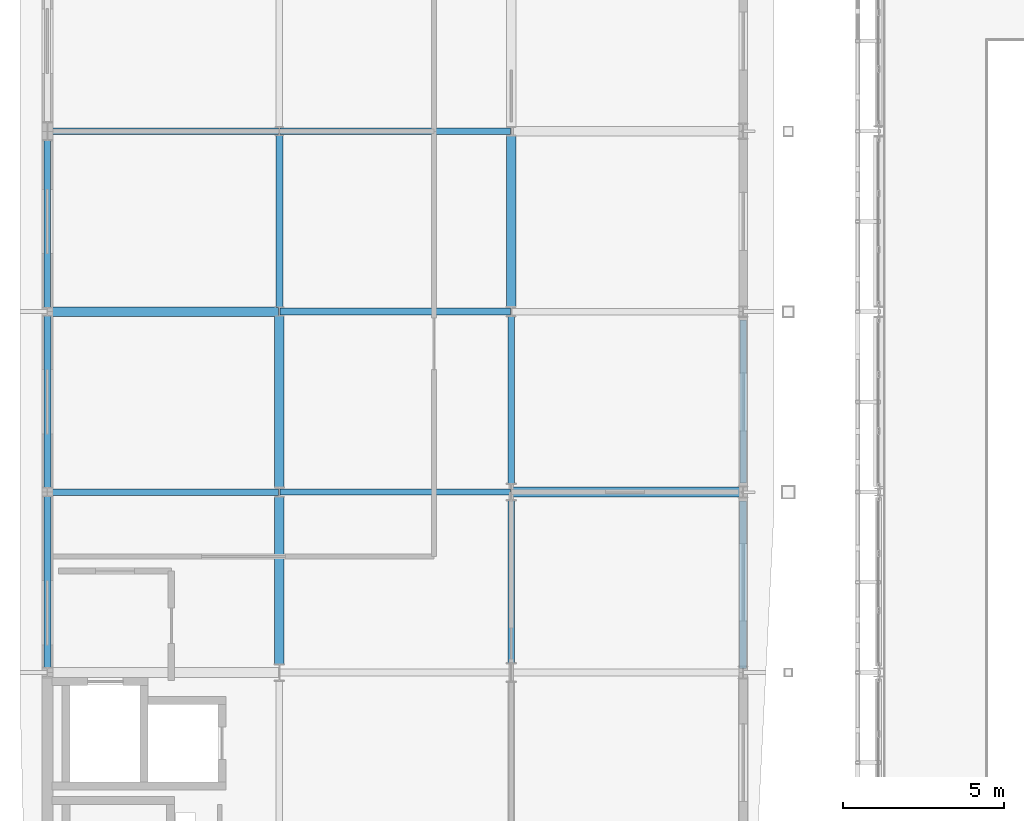
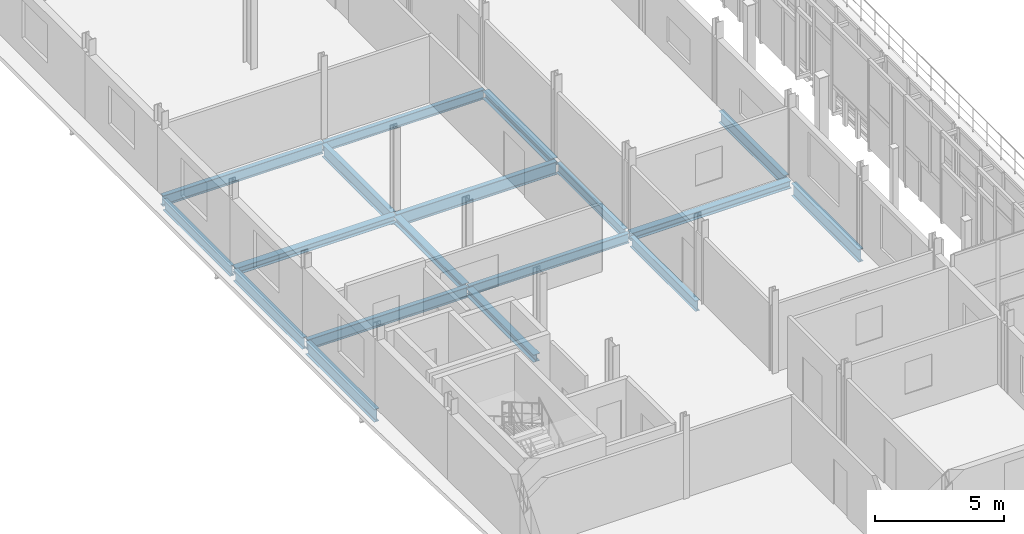
# One storey, part 27 of 78: 18 beams.
"""IFC4 building model written with IfcOpenShell, lengths in metres."""

from ifc_helpers import new_model, si_unit, direction, frame, origin, origin_2d, place, context, subcontext, project, spatial, i_section, extrude, material, material_profile, profile_set, type_object, element, save


model = new_model("IFC4")

# Units and contexts
model_context = context("Model", 3, precision=1e-05, world=origin(), true_north=direction((0.0, 1.0)))
body_context = subcontext(model_context, "Body", "Model", "MODEL_VIEW")
ifc_project = project(units=[si_unit("LENGTHUNIT", "METRE"), si_unit("AREAUNIT", "SQUARE_METRE"), si_unit("VOLUMEUNIT", "CUBIC_METRE"), si_unit("PLANEANGLEUNIT", "RADIAN"), si_unit("MASSUNIT", "GRAM", prefix="KILO")], contexts=[model_context])

# Site, building, storey
site_placement = place(None, origin())
site = spatial("IfcSite", under=ifc_project, at=site_placement, CompositionType="ELEMENT")
building_placement = place(site_placement, origin())
building = spatial("IfcBuilding", under=site, at=building_placement, Name="Vinh Khe Railworks Police Headquarters", CompositionType="ELEMENT")
storey_placement = place(building_placement, frame((0.0, 0.0, 13.199951171875)))
storey = spatial("IfcBuildingStorey", under=building, at=storey_placement, Name="L03", CompositionType="ELEMENT", Elevation=13.199951171875)

# Beams
ifc_material = material(Name="Steel S355JR", Category="steel")
ifc_material_profile_1 = material_profile(ifc_material, i_section(OverallWidth=0.300048828125, OverallDepth=0.330078125, WebThickness=0.009521484375, FlangeThickness=0.0166015625, FilletRadius=0.027099609375, at=origin_2d()), Name="HEA 340")
ifc_profile_set_1 = profile_set([ifc_material_profile_1], Name="Steel S355JR")
beam_type_1 = type_object("IfcBeamType", Name="Steel Girder HEA 340", PredefinedType="BEAM", material=ifc_profile_set_1)
beam_1_placement = place(storey_placement, frame((0.6201171875, 47.60009765625, -0.385009765625), z_axis=(1.0, 0.0, 0.0), x_axis=(0.0, 1.0, 0.0)))
element("IfcBeam", 1, at=beam_1_placement, inside=storey, type_object=beam_type_1, Name="Girder BM-L03-EW-SB-16-1052", PredefinedType="BEAM", context=body_context, shape_type="SweptSolid", body=[
    extrude(i_section(OverallWidth=0.300048828125, OverallDepth=0.330078125, WebThickness=0.009521484375, FlangeThickness=0.0166015625, FilletRadius=0.027099609375, at=origin_2d()), origin(), (0.0, 0.0, 1.0), 7.159912109375),
])
beam_2_placement = place(storey_placement, frame((7.800048828125, 42.14990234375, -0.385009765625), z_axis=(0.0, 1.0, 0.0), x_axis=(-1.0, 0.0, 0.0)))
element("IfcBeam", 2, at=beam_2_placement, inside=storey, type_object=beam_type_1, Name="Girder BM-L03-NS-SB-16-1166", PredefinedType="BEAM", context=body_context, shape_type="SweptSolid", body=[
    extrude(i_section(OverallWidth=0.300048828125, OverallDepth=0.330078125, WebThickness=0.009521484375, FlangeThickness=0.0166015625, FilletRadius=0.027099609375, at=origin_2d()), origin(), (0.0, 0.0, 1.0), 5.315185546875),
])
ifc_material_profile_2 = material_profile(ifc_material, i_section(OverallWidth=0.300048828125, OverallDepth=0.35009765625, WebThickness=0.010009765625, FlangeThickness=0.017578125, FilletRadius=0.027099609375, at=origin_2d()), Name="HEA 360")
ifc_profile_set_2 = profile_set([ifc_material_profile_2], Name="Steel S355JR")
beam_type_2 = type_object("IfcBeamType", Name="Steel Girder HEA 360", PredefinedType="BEAM", material=ifc_profile_set_2)
beam_3_placement = place(storey_placement, frame((15.02001953125, 42.0, -0.39501953125), z_axis=(1.0, 0.0, 0.0), x_axis=(0.0, 1.0, 0.0)))
element("IfcBeam", 3, at=beam_3_placement, inside=storey, type_object=beam_type_2, Name="Girder BM-L03-EW-SB-15-1051", PredefinedType="BEAM", context=body_context, shape_type="SweptSolid", body=[
    extrude(i_section(OverallWidth=0.300048828125, OverallDepth=0.35009765625, WebThickness=0.010009765625, FlangeThickness=0.017578125, FilletRadius=0.027099609375, at=origin_2d()), origin(), (0.0, 0.0, 1.0), 7.159912109375),
])
beam_4_placement = place(storey_placement, frame((7.800048828125, 36.655029296875, -0.39501953125), z_axis=(0.0, 1.0, 0.0), x_axis=(-1.0, 0.0, 0.0)))
element("IfcBeam", 4, at=beam_4_placement, inside=storey, type_object=beam_type_2, Name="Girder BM-L03-NS-SB-15-1165", PredefinedType="BEAM", context=body_context, shape_type="SweptSolid", body=[
    extrude(i_section(OverallWidth=0.300048828125, OverallDepth=0.35009765625, WebThickness=0.010009765625, FlangeThickness=0.017578125, FilletRadius=0.027099609375, at=origin_2d()), origin(), (0.0, 0.0, 1.0), 5.195068359375),
])
beam_5_placement = place(storey_placement, frame((15.0, 47.75, -0.39501953125), z_axis=(0.0, 1.0, 0.0), x_axis=(-1.0, 0.0, 0.0)))
element("IfcBeam", 5, at=beam_5_placement, inside=storey, type_object=beam_type_2, Name="Girder BM-L03-NS-SB-15-1183", PredefinedType="BEAM", context=body_context, shape_type="SweptSolid", body=[
    extrude(i_section(OverallWidth=0.300048828125, OverallDepth=0.35009765625, WebThickness=0.010009765625, FlangeThickness=0.017578125, FilletRadius=0.027099609375, at=origin_2d()), origin(), (0.0, 0.0, 1.0), 5.31494140625),
])
ifc_material_profile_3 = material_profile(ifc_material, i_section(OverallWidth=0.18994140625, OverallDepth=0.449951171875, WebThickness=0.009521484375, FlangeThickness=0.0146484375, FilletRadius=0.02099609375, at=origin_2d()), Name="IPE 450")
ifc_profile_set_3 = profile_set([ifc_material_profile_3], Name="Steel S355JR")
beam_type_3 = type_object("IfcBeamType", Name="Steel Girder IPE 450", PredefinedType="BEAM", material=ifc_profile_set_3)
for number, where, z_axis, x_axis, name in (
    (6, (7.820068359375, 42.0, -0.445068359375), (1.0, 0.0, 0.0), (0.0, 1.0, 0.0), "Girder BM-L03-EW-SB-20-1050"),
    (7, (7.820068359375, 53.199951171875, -0.445068359375), (1.0, 0.0, 0.0), (0.0, 1.0, 0.0), "Girder BM-L03-EW-SB-20-1056"),
):
    element("IfcBeam", number, at=place(storey_placement, frame(where, z_axis=z_axis, x_axis=x_axis)), inside=storey, type_object=beam_type_3, Name=name, PredefinedType="BEAM", context=body_context, shape_type="SweptSolid", body=[
        extrude(i_section(OverallWidth=0.18994140625, OverallDepth=0.449951171875, WebThickness=0.009521484375, FlangeThickness=0.0146484375, FilletRadius=0.02099609375, at=origin_2d()), origin(), (0.0, 0.0, 1.0), 7.159912109375),
    ])
beam_6_placement = place(storey_placement, frame((15.0, 42.2548828125, -0.445068359375), z_axis=(0.0, 1.0, 0.0), x_axis=(-1.0, 0.0, 0.0)))
element("IfcBeam", 8, at=beam_6_placement, inside=storey, type_object=beam_type_3, Name="Girder BM-L03-NS-SB-20-1182", PredefinedType="BEAM", context=body_context, shape_type="SweptSolid", body=[
    extrude(i_section(OverallWidth=0.18994140625, OverallDepth=0.449951171875, WebThickness=0.009521484375, FlangeThickness=0.0146484375, FilletRadius=0.02099609375, at=origin_2d()), origin(), (0.0, 0.0, 1.0), 5.195068359375),
])
ifc_material_profile_4 = material_profile(ifc_material, i_section(OverallWidth=0.199951171875, OverallDepth=0.5, WebThickness=0.01025390625, FlangeThickness=0.01611328125, FilletRadius=0.02099609375, at=origin_2d()), Name="IPE 500")
ifc_profile_set_4 = profile_set([ifc_material_profile_4], Name="Steel S355JR")
beam_type_4 = type_object("IfcBeamType", Name="Steel Girder IPE 500", PredefinedType="BEAM", material=ifc_profile_set_4)
for number, where, z_axis, x_axis, name in (
    (9, (0.6201171875, 42.0, -0.469970703125), (1.0, 0.0, 0.0), (0.0, 1.0, 0.0), "Girder BM-L03-EW-SB-19-1049"),
    (10, (0.6201171875, 53.199951171875, -0.469970703125), (1.0, 0.0, 0.0), (0.0, 1.0, 0.0), "Girder BM-L03-EW-SB-19-1055"),
):
    element("IfcBeam", number, at=place(storey_placement, frame(where, z_axis=z_axis, x_axis=x_axis)), inside=storey, type_object=beam_type_4, Name=name, PredefinedType="BEAM", context=body_context, shape_type="SweptSolid", body=[
        extrude(i_section(OverallWidth=0.199951171875, OverallDepth=0.5, WebThickness=0.01025390625, FlangeThickness=0.01611328125, FilletRadius=0.02099609375, at=origin_2d()), origin(), (0.0, 0.0, 1.0), 7.159912109375),
    ])
beam_7_placement = place(storey_placement, frame((0.60009765625, 47.72509765625, -0.469970703125), z_axis=(0.0, 1.0, 0.0), x_axis=(-1.0, 0.0, 0.0)))
element("IfcBeam", 11, at=beam_7_placement, inside=storey, type_object=beam_type_4, Name="Girder BM-L03-NS-SB-19-1151", PredefinedType="BEAM", context=body_context, shape_type="SweptSolid", body=[
    extrude(i_section(OverallWidth=0.199951171875, OverallDepth=0.5, WebThickness=0.01025390625, FlangeThickness=0.01611328125, FilletRadius=0.02099609375, at=origin_2d()), origin(), (0.0, 0.0, 1.0), 5.19482421875),
])
beam_8_placement = place(storey_placement, frame((15.0, 36.679931640625, -0.469970703125), z_axis=(0.0, 1.0, 0.0), x_axis=(-1.0, 0.0, 0.0)))
element("IfcBeam", 12, at=beam_8_placement, inside=storey, type_object=beam_type_4, Name="Girder BM-L03-NS-SB-19-1181", PredefinedType="BEAM", context=body_context, shape_type="SweptSolid", body=[
    extrude(i_section(OverallWidth=0.199951171875, OverallDepth=0.5, WebThickness=0.01025390625, FlangeThickness=0.01611328125, FilletRadius=0.02099609375, at=origin_2d()), origin(), (0.0, 0.0, 1.0), 5.065185546875),
])
ifc_material_profile_5 = material_profile(ifc_material, i_section(OverallWidth=0.2099609375, OverallDepth=0.550048828125, WebThickness=0.010986328125, FlangeThickness=0.01708984375, FilletRadius=0.02392578125, at=origin_2d()), Name="IPE 550")
ifc_profile_set_5 = profile_set([ifc_material_profile_5], Name="Steel S355JR")
beam_type_5 = type_object("IfcBeamType", Name="Steel Girder IPE 550", PredefinedType="BEAM", material=ifc_profile_set_5)
beam_9_placement = place(storey_placement, frame((0.60009765625, 42.135009765625, -0.494873046875), z_axis=(0.0, 1.0, 0.0), x_axis=(-1.0, 0.0, 0.0)))
element("IfcBeam", 13, at=beam_9_placement, inside=storey, type_object=beam_type_5, Name="Girder BM-L03-NS-SB-18-1150", PredefinedType="BEAM", context=body_context, shape_type="SweptSolid", body=[
    extrude(i_section(OverallWidth=0.2099609375, OverallDepth=0.550048828125, WebThickness=0.010986328125, FlangeThickness=0.01708984375, FilletRadius=0.02392578125, at=origin_2d()), origin(), (0.0, 0.0, 1.0), 5.340087890625),
])
beam_10_placement = place(storey_placement, frame((22.199951171875, 42.280029296875, -0.494873046875), z_axis=(0.0, 1.0, 0.0), x_axis=(-1.0, 0.0, 0.0)))
element("IfcBeam", 14, at=beam_10_placement, inside=storey, type_object=beam_type_5, Name="Girder BM-L03-NS-SB-18-1198", PredefinedType="BEAM", context=body_context, shape_type="SweptSolid", body=[
    extrude(i_section(OverallWidth=0.2099609375, OverallDepth=0.550048828125, WebThickness=0.010986328125, FlangeThickness=0.01708984375, FilletRadius=0.02392578125, at=origin_2d()), origin(), (0.0, 0.0, 1.0), 5.06494140625),
])
ifc_material_profile_6 = material_profile(ifc_material, i_section(OverallWidth=0.219970703125, OverallDepth=0.60009765625, WebThickness=0.011962890625, FlangeThickness=0.01904296875, FilletRadius=0.02392578125, at=origin_2d()), Name="IPE 600")
ifc_profile_set_6 = profile_set([ifc_material_profile_6], Name="Steel S355JR")
beam_type_6 = type_object("IfcBeamType", Name="Steel Girder IPE 600", PredefinedType="BEAM", material=ifc_profile_set_6)
beam_11_placement = place(storey_placement, frame((7.820068359375, 47.60009765625, -0.52001953125), z_axis=(1.0, 0.0, 0.0), x_axis=(0.0, 1.0, 0.0)))
element("IfcBeam", 15, at=beam_11_placement, inside=storey, type_object=beam_type_6, Name="Girder BM-L03-EW-SB-17-1053", PredefinedType="BEAM", context=body_context, shape_type="SweptSolid", body=[
    extrude(i_section(OverallWidth=0.219970703125, OverallDepth=0.60009765625, WebThickness=0.011962890625, FlangeThickness=0.01904296875, FilletRadius=0.02392578125, at=origin_2d()), origin(), (0.0, 0.0, 1.0), 7.159912109375),
])
beam_12_placement = place(storey_placement, frame((0.60009765625, 36.550048828125, -0.52001953125), z_axis=(0.0, 1.0, 0.0), x_axis=(-1.0, 0.0, 0.0)))
element("IfcBeam", 16, at=beam_12_placement, inside=storey, type_object=beam_type_6, Name="Girder BM-L03-NS-SB-17-1149", PredefinedType="BEAM", context=body_context, shape_type="SweptSolid", body=[
    extrude(i_section(OverallWidth=0.219970703125, OverallDepth=0.60009765625, WebThickness=0.011962890625, FlangeThickness=0.01904296875, FilletRadius=0.02392578125, at=origin_2d()), origin(), (0.0, 0.0, 1.0), 5.31494140625),
])
beam_13_placement = place(storey_placement, frame((7.800048828125, 47.735107421875, -0.52001953125), z_axis=(0.0, 1.0, 0.0), x_axis=(-1.0, 0.0, 0.0)))
element("IfcBeam", 17, at=beam_13_placement, inside=storey, type_object=beam_type_6, Name="Girder BM-L03-NS-SB-17-1167", PredefinedType="BEAM", context=body_context, shape_type="SweptSolid", body=[
    extrude(i_section(OverallWidth=0.219970703125, OverallDepth=0.60009765625, WebThickness=0.011962890625, FlangeThickness=0.01904296875, FilletRadius=0.02392578125, at=origin_2d()), origin(), (0.0, 0.0, 1.0), 5.33984375),
])
beam_14_placement = place(storey_placement, frame((22.199951171875, 36.52490234375, -0.52001953125), z_axis=(0.0, 1.0, 0.0), x_axis=(-1.0, 0.0, 0.0)))
element("IfcBeam", 18, at=beam_14_placement, inside=storey, type_object=beam_type_6, Name="Girder BM-L03-NS-SB-17-1197", PredefinedType="BEAM", context=body_context, shape_type="SweptSolid", body=[
    extrude(i_section(OverallWidth=0.219970703125, OverallDepth=0.60009765625, WebThickness=0.011962890625, FlangeThickness=0.01904296875, FilletRadius=0.02392578125, at=origin_2d()), origin(), (0.0, 0.0, 1.0), 5.195068359375),
])

save(model, "model.ifc")
